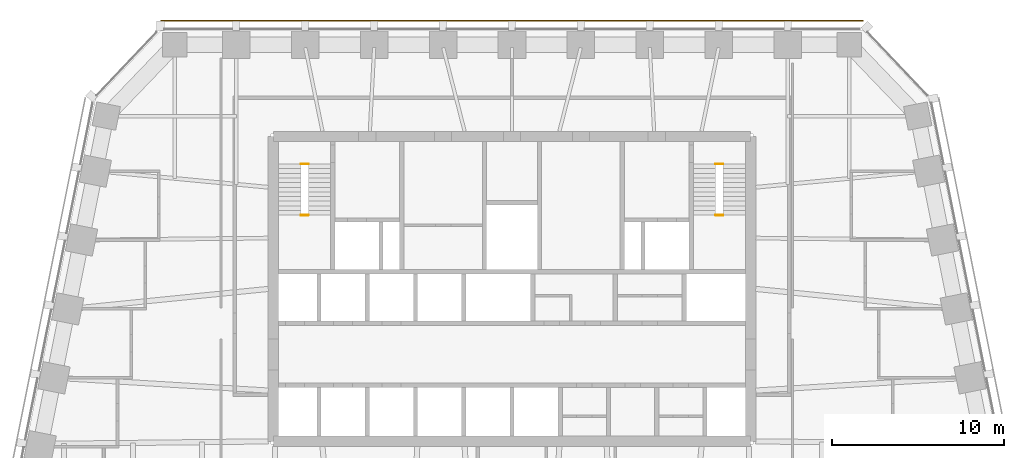
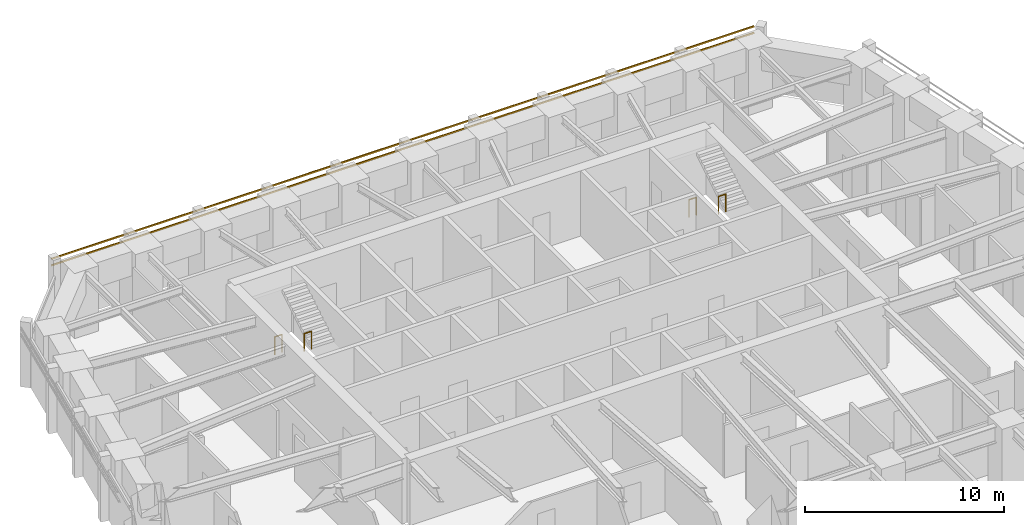
# One storey, part 10 of 10: 4 railings, 2 shading devices.
"""IFC4 building model written with IfcOpenShell, lengths in metres."""

from ifc_helpers import new_model, si_unit, direction, frame, origin, origin_2d, place, context, subcontext, project, spatial, rectangle, circle, extrude, material, material_profile, profile_set, type_object, element, save


model = new_model("IFC4")

# Units and contexts
model_context = context("Model", 3, precision=1e-05, world=origin(), true_north=direction((0.0, 1.0)))
body_context = subcontext(model_context, "Body", "Model", "MODEL_VIEW")
ifc_project = project(units=[si_unit("LENGTHUNIT", "METRE"), si_unit("AREAUNIT", "SQUARE_METRE"), si_unit("VOLUMEUNIT", "CUBIC_METRE"), si_unit("PLANEANGLEUNIT", "RADIAN"), si_unit("MASSUNIT", "GRAM", prefix="KILO")], contexts=[model_context])

# Site, building, storey
site_placement = place(None, origin())
site = spatial("IfcSite", under=ifc_project, at=site_placement, CompositionType="ELEMENT")
building_placement = place(site_placement, origin())
building = spatial("IfcBuilding", under=site, at=building_placement, Name="Isbrekke Arena Tower", CompositionType="ELEMENT")
storey_placement = place(building_placement, frame((0.0, 0.0, 198.0)))
storey = spatial("IfcBuildingStorey", under=building, at=storey_placement, Name="L45", CompositionType="ELEMENT", Elevation=198.0)

# Shading devices
ifc_material_1 = material(Name="Terracotta", Category="masonry")
ifc_material_profile = material_profile(ifc_material_1, rectangle(XDim=0.06005859375, YDim=0.06005859375, at=origin_2d()), Name="BAGUETTE 60X60")
ifc_profile_set = profile_set([ifc_material_profile], Name="Terracotta")
shading_device_type = type_object("IfcShadingDeviceType", Name="BG1 TERRACOTTA BAGUETTE 60 x 60", PredefinedType="USERDEFINED", material=ifc_profile_set)
for number, where, z_axis, x_axis, name in (
    (1, (20.39990234375, 30.580078125, 3.280029296875), (-1.0, 0.0, 0.0), (0.0, -1.0, 0.0), "BG1 terracotta baguette N1 L45"),
    (2, (20.39990234375, 30.580078125, 3.679931640625), (-1.0, 0.0, 0.0), (0.0, -1.0, 0.0), "BG1 terracotta baguette N2 L45"),
):
    element("IfcShadingDevice", number, at=place(storey_placement, frame(where, z_axis=z_axis, x_axis=x_axis)), inside=storey, type_object=shading_device_type, Name=name, ObjectType="TERRACOTTA BAGUETTE", PredefinedType="USERDEFINED", context=body_context, shape_type="SweptSolid", body=[
        extrude(rectangle(XDim=0.06005859375, YDim=0.06005859375, at=origin_2d()), origin(), (0.0, 0.0, 1.0), 40.7998046875),
    ])

# Railings
ifc_material_2 = material(Name="Steel stair guard, vertical bars, steel handrail", Category="steel")
railing_type = type_object("IfcRailingType", Name="GR3 STAIR WELL GUARD 1100", PredefinedType="GUARDRAIL", material=ifc_material_2)
for number, where, name in (
    (3, (-12.25, 22.25, 0.0), "GR3 stair well guard ST1 L45"),
    (4, (-12.25, 19.280029296875, 2.0), "GR3 stair well guard ST1 L45"),
    (5, (11.824951171875, 22.25, 0.0), "GR3 stair well guard ST2 L45"),
    (6, (11.824951171875, 19.280029296875, 2.0), "GR3 stair well guard ST2 L45"),
):
    element("IfcRailing", number, at=place(storey_placement, frame(where)), inside=storey, type_object=railing_type, Name=name, PredefinedType="GUARDRAIL", context=body_context, shape_type="SweptSolid", body=[
        extrude(circle(Radius=0.02392578125, at=origin_2d()), frame((0.0, 0.0, 1.076171875), z_axis=(1.0, 0.0, 0.0), x_axis=(0.0, 1.0, 0.0)), (0.0, 0.0, 1.0), 0.425048828125),
        extrude(circle(Radius=0.02099609375, at=origin_2d()), origin(), (0.0, 0.0, 1.0), 1.052001953125),
        extrude(circle(Radius=0.02099609375, at=origin_2d()), frame((0.425048828125, 0.0, 0.0)), (0.0, 0.0, 1.0), 1.052001953125),
    ])

save(model, "model.ifc")
